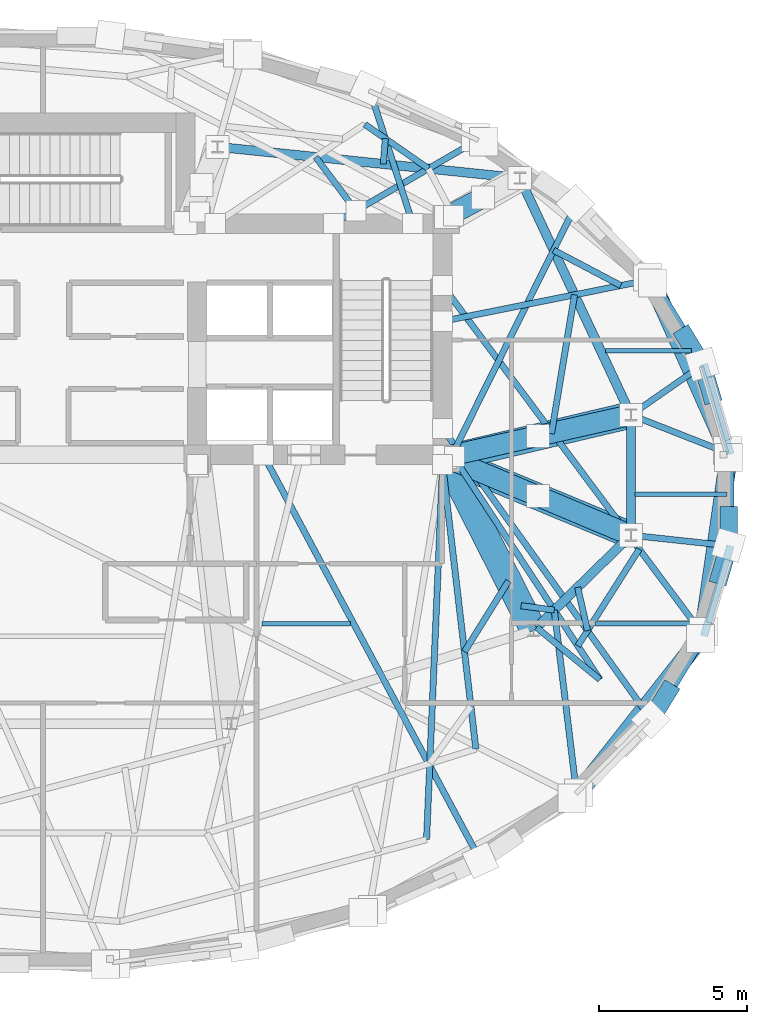
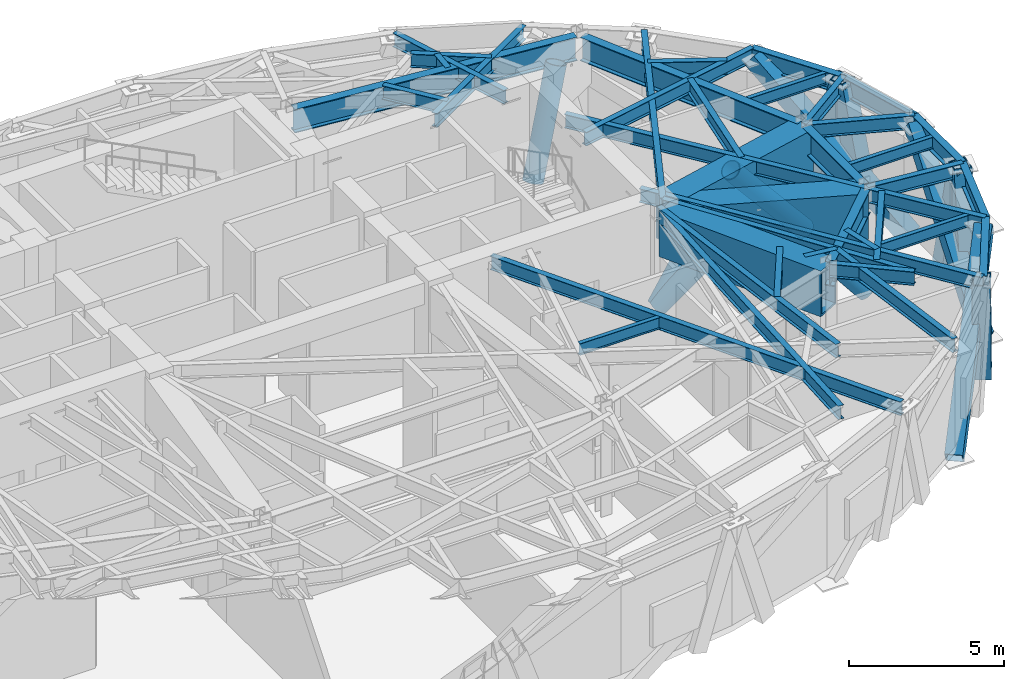
# One storey, part 4 of 12: 40 beams, 13 members.
"""IFC4 building model written with IfcOpenShell, lengths in metres."""

from ifc_helpers import new_model, si_unit, direction, frame, origin, origin_2d, place, context, subcontext, project, spatial, hollow_rectangle, hollow_circle, i_section, extrude, material, material_profile, profile_set, type_object, element, save


model = new_model("IFC4")

# Units and contexts
model_context = context("Model", 3, precision=1e-05, world=origin(), true_north=direction((0.0, 1.0)))
body_context = subcontext(model_context, "Body", "Model", "MODEL_VIEW")
ifc_project = project(units=[si_unit("LENGTHUNIT", "METRE"), si_unit("AREAUNIT", "SQUARE_METRE"), si_unit("VOLUMEUNIT", "CUBIC_METRE"), si_unit("PLANEANGLEUNIT", "RADIAN"), si_unit("MASSUNIT", "GRAM", prefix="KILO")], contexts=[model_context])

# Site, building, storey
site_placement = place(None, origin())
site = spatial("IfcSite", under=ifc_project, at=site_placement, CompositionType="ELEMENT")
building_placement = place(site_placement, origin())
building = spatial("IfcBuilding", under=site, at=building_placement, Name="Keldmark Tower", CompositionType="ELEMENT")
storey_placement = place(building_placement, frame((0.0, 0.0, 201.39990234375)))
storey = spatial("IfcBuildingStorey", under=building, at=storey_placement, Name="L56", CompositionType="ELEMENT", Elevation=201.39990234375)

# Members
ifc_material_1 = material(Name="Steel ASTM A572 Grade 50", Category="steel")
ifc_material_profile_1 = material_profile(ifc_material_1, hollow_rectangle(XDim=0.60009765625, YDim=0.60009765625, WallThickness=0.034912109375, at=origin_2d()), Name="BOX600X600X35")
ifc_profile_set_1 = profile_set([ifc_material_profile_1], Name="Steel ASTM A572 Grade 50")
member_type_1 = type_object("IfcMemberType", Name="Belt Truss Diagonal Brace BOX600", PredefinedType="BRACE", material=ifc_profile_set_1)
member_1_placement = place(storey_placement, frame((23.092529296875, 1.664306640625, -0.539794921875), z_axis=(-0.330159424397, 0.737190458603, 0.58952945832), x_axis=(-0.912650335555, -0.408741195638, 0.0)))
element("IfcMember", 1, at=member_1_placement, inside=storey, type_object=member_type_1, Name="L56 Perimeter Belt Truss Brace 01", PredefinedType="BRACE", context=body_context, shape_type="SweptSolid", body=[
    extrude(hollow_rectangle(XDim=0.60009765625, YDim=0.60009765625, WallThickness=0.034912109375, at=origin_2d()), origin(), (0.0, 0.0, 1.0), 7.666748046875),
])
member_2_placement = place(storey_placement, frame((18.066162109375, -9.88232421875, -0.539794921875), z_axis=(0.511692605622, 0.648975245847, 0.563029135684), x_axis=(-0.785268821548, 0.61915497083, 0.0)))
element("IfcMember", 2, at=member_2_placement, inside=storey, type_object=member_type_1, Name="L56 Perimeter Belt Truss Brace 15", PredefinedType="BRACE", context=body_context, shape_type="SweptSolid", body=[
    extrude(hollow_rectangle(XDim=0.60009765625, YDim=0.60009765625, WallThickness=0.034912109375, at=origin_2d()), origin(), (0.0, 0.0, 1.0), 8.027587890625),
])
member_3_placement = place(storey_placement, frame((22.27490234375, -4.447509765625, -0.539794921875), z_axis=(0.114320235652, 0.787550304378, 0.605553797606), x_axis=(-0.989628019482, 0.14365369141, 0.0)))
element("IfcMember", 3, at=member_3_placement, inside=storey, type_object=member_type_1, Name="L56 Perimeter Belt Truss Brace 16", PredefinedType="BRACE", context=body_context, shape_type="SweptSolid", body=[
    extrude(hollow_rectangle(XDim=0.60009765625, YDim=0.60009765625, WallThickness=0.034912109375, at=origin_2d()), origin(), (0.0, 0.0, 1.0), 7.4638671875),
])

# Beams
ifc_material_2 = material(Name="Steel ASTM A992 Grade 50", Category="steel")
ifc_material_profile_2 = material_profile(ifc_material_2, i_section(OverallWidth=0.153076171875, OverallDepth=0.455078125, WebThickness=0.008056640625, FlangeThickness=0.01318359375, at=origin_2d()), Name="W18X40")
ifc_profile_set_2 = profile_set([ifc_material_profile_2], Name="Steel ASTM A992 Grade 50")
beam_type_1 = type_object("IfcBeamType", Name="Composite Floor Joist W18X40", PredefinedType="JOIST", material=ifc_profile_set_2)
beam_1_placement = place(storey_placement, frame((7.378662109375, -4.179931640625, 4.052490234375), z_axis=(1.0, 0.0, 0.0), x_axis=(0.0, 1.0, 0.0)))
element("IfcBeam", 4, at=beam_1_placement, inside=storey, type_object=beam_type_1, Name="L56 Composite Floor Joist J04", PredefinedType="JOIST", context=body_context, shape_type="SweptSolid", body=[
    extrude(i_section(OverallWidth=0.153076171875, OverallDepth=0.455078125, WebThickness=0.008056640625, FlangeThickness=0.01318359375, at=origin_2d()), origin(), (0.0, 0.0, 1.0), 2.991455078125),
])
beam_2_placement = place(storey_placement, frame((18.624267578125, -4.179931640625, 4.052490234375), z_axis=(1.0, 0.0, 0.0), x_axis=(0.0, 1.0, 0.0)))
element("IfcBeam", 5, at=beam_2_placement, inside=storey, type_object=beam_type_1, Name="L56 Composite Floor Joist J05", PredefinedType="JOIST", context=body_context, shape_type="SweptSolid", body=[
    extrude(i_section(OverallWidth=0.153076171875, OverallDepth=0.455078125, WebThickness=0.008056640625, FlangeThickness=0.01318359375, at=origin_2d()), origin(), (0.0, 0.0, 1.0), 3.248046875),
])
beam_3_placement = place(storey_placement, frame((19.974365234375, 0.199951171875, 4.052490234375), z_axis=(1.0, 0.0, 0.0), x_axis=(0.0, 1.0, 0.0)))
element("IfcBeam", 6, at=beam_3_placement, inside=storey, type_object=beam_type_1, Name="L56 Composite Floor Joist J07", PredefinedType="JOIST", context=body_context, shape_type="SweptSolid", body=[
    extrude(i_section(OverallWidth=0.153076171875, OverallDepth=0.455078125, WebThickness=0.008056640625, FlangeThickness=0.01318359375, at=origin_2d()), origin(), (0.0, 0.0, 1.0), 3.094482421875),
])
beam_4_placement = place(storey_placement, frame((18.972412109375, 5.0400390625, 4.052490234375), z_axis=(1.0, 0.0, 0.0), x_axis=(0.0, 1.0, 0.0)))
element("IfcBeam", 7, at=beam_4_placement, inside=storey, type_object=beam_type_1, Name="L56 Composite Floor Joist J09", PredefinedType="JOIST", context=body_context, shape_type="SweptSolid", body=[
    extrude(i_section(OverallWidth=0.153076171875, OverallDepth=0.455078125, WebThickness=0.008056640625, FlangeThickness=0.01318359375, at=origin_2d()), origin(), (0.0, 0.0, 1.0), 2.906982421875),
])

# Members
ifc_material_3 = material(Name="Steel ASTM A572 Grade 50", Category="steel")
ifc_material_profile_3 = material_profile(ifc_material_3, hollow_rectangle(XDim=0.60009765625, YDim=0.60009765625, WallThickness=0.034912109375, at=origin_2d()), Name="BOX600X600X35")
ifc_profile_set_3 = profile_set([ifc_material_profile_3], Name="Steel ASTM A572 Grade 50")
member_type_2 = type_object("IfcMemberType", Name="Diagrid Zone 4 Brace BOX600X600X35", PredefinedType="BRACE", material=ifc_profile_set_3)
member_4_placement = place(storey_placement, frame((22.533935546875, 3.568115234375, -0.31982421875), z_axis=(-0.064502361927, 0.21997639384, 0.973370346507), x_axis=(-0.959597309391, -0.281376978109, 0.0)))
element("IfcMember", 8, at=member_4_placement, inside=storey, type_object=member_type_2, Name="L56 Perimeter Diagrid Brace 01A", PredefinedType="BRACE", context=body_context, shape_type="SweptSolid", body=[
    extrude(hollow_rectangle(XDim=0.60009765625, YDim=0.60009765625, WallThickness=0.034912109375, at=origin_2d()), origin(), (0.0, 0.0, 1.0), 4.6025390625),
])
member_5_placement = place(storey_placement, frame((21.65673828125, 5.52294921875, -0.31982421875), z_axis=(0.126160390005, -0.206583672988, 0.970261172081), x_axis=(0.853438383523, 0.52119375047, 0.0)))
element("IfcMember", 9, at=member_5_placement, inside=storey, type_object=member_type_2, Name="L56 Perimeter Diagrid Brace 01B", PredefinedType="BRACE", context=body_context, shape_type="SweptSolid", body=[
    extrude(hollow_rectangle(XDim=0.60009765625, YDim=0.60009765625, WallThickness=0.034912109375, at=origin_2d()), origin(), (0.0, 0.0, 1.0), 4.6171875),
])
member_6_placement = place(storey_placement, frame((21.07861328125, -6.4658203125, -0.31982421875), z_axis=(-0.126211044391, -0.206632912225, 0.970244099111), x_axis=(0.853400567022, -0.521255668752, 0.0)))
element("IfcMember", 10, at=member_6_placement, inside=storey, type_object=member_type_2, Name="L56 Perimeter Diagrid Brace 15B", PredefinedType="BRACE", context=body_context, shape_type="SweptSolid", body=[
    extrude(hollow_rectangle(XDim=0.60009765625, YDim=0.60009765625, WallThickness=0.034912109375, at=origin_2d()), origin(), (0.0, 0.0, 1.0), 4.617431640625),
])
member_7_placement = place(storey_placement, frame((22.83349609375, -2.5439453125, -0.31982421875), z_axis=(0.064501609198, 0.220026870849, 0.973358987484), x_axis=(-0.959615623571, 0.281314512599, 0.0)))
element("IfcMember", 11, at=member_7_placement, inside=storey, type_object=member_type_2, Name="L56 Perimeter Diagrid Brace 16A", PredefinedType="BRACE", context=body_context, shape_type="SweptSolid", body=[
    extrude(hollow_rectangle(XDim=0.60009765625, YDim=0.60009765625, WallThickness=0.034912109375, at=origin_2d()), origin(), (0.0, 0.0, 1.0), 4.6025390625),
])
member_8_placement = place(storey_placement, frame((23.128173828125, -0.51025390625, -0.31982421875), z_axis=(0.0, -0.224576375874, 0.974456490255), x_axis=(1.0, 0.0, 0.0)))
element("IfcMember", 12, at=member_8_placement, inside=storey, type_object=member_type_2, Name="L56 Perimeter Diagrid Brace 16B", PredefinedType="BRACE", context=body_context, shape_type="SweptSolid", body=[
    extrude(hollow_rectangle(XDim=0.60009765625, YDim=0.60009765625, WallThickness=0.034912109375, at=origin_2d()), origin(), (0.0, 0.0, 1.0), 4.597412109375),
])

# Beams
ifc_material_4 = material(Name="Steel ASTM A992 Grade 50", Category="steel")
ifc_material_profile_4 = material_profile(ifc_material_4, i_section(OverallWidth=0.31005859375, OverallDepth=0.931884765625, WebThickness=0.02099609375, FlangeThickness=0.034423828125, at=origin_2d()), Name="W36X210")
ifc_profile_set_4 = profile_set([ifc_material_profile_4], Name="Steel ASTM A992 Grade 50")
beam_type_2 = type_object("IfcBeamType", Name="Outrigger Chord Girder W36X210", PredefinedType="BEAM", material=ifc_profile_set_4)
beam_5_placement = place(storey_placement, frame((19.76904296875, 2.99609375, 3.814208984375), z_axis=(-0.424526823774, 0.905415360979, 0.0), x_axis=(-0.905415360979, -0.424526823774, 0.0)))
element("IfcBeam", 13, at=beam_5_placement, inside=storey, type_object=beam_type_2, Name="L56 Floor Ring Girder FG-R01", PredefinedType="BEAM", context=body_context, shape_type="SweptSolid", body=[
    extrude(i_section(OverallWidth=0.31005859375, OverallDepth=0.931884765625, WebThickness=0.02099609375, FlangeThickness=0.034423828125, at=origin_2d()), origin(), (0.0, 0.0, 1.0), 8.54638671875),
])
beam_6_placement = place(storey_placement, frame((15.942138671875, 10.87548828125, 3.814208984375), z_axis=(-0.994702930931, 0.102791435423, 0.0), x_axis=(-0.102791435423, -0.994702930931, 0.0)))
element("IfcBeam", 14, at=beam_6_placement, inside=storey, type_object=beam_type_2, Name="L56 Floor Ring Girder FG-R02", PredefinedType="BEAM", context=body_context, shape_type="SweptSolid", body=[
    extrude(i_section(OverallWidth=0.31005859375, OverallDepth=0.931884765625, WebThickness=0.02099609375, FlangeThickness=0.034423828125, at=origin_2d()), origin(), (0.0, 0.0, 1.0), 9.975341796875),
])
beam_7_placement = place(storey_placement, frame((16.646728515625, -4.300537109375, 3.814208984375), z_axis=(0.714964509815, 0.699160746684, 0.0), x_axis=(-0.699160746684, 0.714964509815, 0.0)))
element("IfcBeam", 15, at=beam_7_placement, inside=storey, type_object=beam_type_2, Name="L56 Floor Ring Girder FG-R11", PredefinedType="BEAM", context=body_context, shape_type="SweptSolid", body=[
    extrude(i_section(OverallWidth=0.31005859375, OverallDepth=0.931884765625, WebThickness=0.02099609375, FlangeThickness=0.034423828125, at=origin_2d()), origin(), (0.0, 0.0, 1.0), 4.31005859375),
])
beam_8_placement = place(storey_placement, frame((19.828369140625, -1.04931640625, 3.814208984375), z_axis=(0.0, 1.0, 0.0), x_axis=(-1.0, 0.0, 0.0)))
element("IfcBeam", 16, at=beam_8_placement, inside=storey, type_object=beam_type_2, Name="L56 Floor Ring Girder FG-R12", PredefinedType="BEAM", context=body_context, shape_type="SweptSolid", body=[
    extrude(i_section(OverallWidth=0.31005859375, OverallDepth=0.931884765625, WebThickness=0.02099609375, FlangeThickness=0.034423828125, at=origin_2d()), origin(), (0.0, 0.0, 1.0), 3.778564453125),
])

# Members
ifc_material_5 = material(Name="Steel ASTM A572 Grade 50", Category="steel")
ifc_material_profile_5 = material_profile(ifc_material_5, hollow_circle(Radius=0.35009765625, WallThickness=0.031982421875, at=origin_2d()), Name="CHS700X32")
ifc_profile_set_5 = profile_set([ifc_material_profile_5], Name="Steel ASTM A572 Grade 50")
member_type_3 = type_object("IfcMemberType", Name="Outrigger Web Strut CHS700X32", PredefinedType="STRUT", material=ifc_profile_set_5)
member_9_placement = place(storey_placement, frame((13.550048828125, 1.449951171875, 0.150146484375), z_axis=(0.627510166364, 0.141870590576, 0.765574115706), x_axis=(-0.22051930677, 0.975382609719, 0.0)))
element("IfcMember", 17, at=member_9_placement, inside=storey, type_object=member_type_3, Name="L56 Core Outrigger Truss Strut 05A", PredefinedType="STRUT", context=body_context, shape_type="SweptSolid", body=[
    extrude(hollow_circle(Radius=0.35009765625, WallThickness=0.031982421875, at=origin_2d()), origin(), (0.0, 0.0, 1.0), 5.002685546875),
])
member_10_placement = place(storey_placement, frame((19.828369140625, 2.869140625, 0.150146484375), z_axis=(-0.627514510369, -0.141822769259, 0.765579415473), x_axis=(0.220447135807, -0.975398923679, 0.0)))
element("IfcMember", 18, at=member_10_placement, inside=storey, type_object=member_type_3, Name="L56 Core Outrigger Truss Strut 05B", PredefinedType="STRUT", context=body_context, shape_type="SweptSolid", body=[
    extrude(hollow_circle(Radius=0.35009765625, WallThickness=0.031982421875, at=origin_2d()), origin(), (0.0, 0.0, 1.0), 5.00244140625),
])
for number, where, z_axis, x_axis, name in (
    (19, (13.550048828125, 1.449951171875, 0.150146484375), (0.612546791251, -0.25749069892, 0.747318518771), (0.387515250943, 0.921863292623, 0.0), "L56 Core Outrigger Truss Strut 06A"),
    (20, (19.828369140625, -1.189208984375, 0.150146484375), (-0.612546791251, 0.25749069892, 0.747318518771), (-0.387515250943, -0.921863292623, 0.0), "L56 Core Outrigger Truss Strut 06B"),
):
    element("IfcMember", number, at=place(storey_placement, frame(where, z_axis=z_axis, x_axis=x_axis)), inside=storey, type_object=member_type_3, Name=name, PredefinedType="STRUT", context=body_context, shape_type="SweptSolid", body=[
        extrude(hollow_circle(Radius=0.35009765625, WallThickness=0.031982421875, at=origin_2d()), origin(), (0.0, 0.0, 1.0), 5.124755859375),
    ])
member_11_placement = place(storey_placement, frame((13.60009765625, 9.550048828125, 0.150146484375), z_axis=(0.30418710682, 0.160712786661, 0.93895772229), x_axis=(-0.467144130585, 0.884181181241, 0.0)))
element("IfcMember", 21, at=member_11_placement, inside=storey, type_object=member_type_3, Name="L56 Core Outrigger Truss Strut 07A", PredefinedType="STRUT", context=body_context, shape_type="SweptSolid", body=[
    extrude(hollow_circle(Radius=0.35009765625, WallThickness=0.031982421875, at=origin_2d()), origin(), (0.0, 0.0, 1.0), 4.078857421875),
])

# Beams
ifc_material_6 = material(Name="Steel ASTM A572 Grade 50", Category="steel")
ifc_material_profile_6 = material_profile(ifc_material_6, hollow_rectangle(XDim=0.89990234375, YDim=1.800048828125, WallThickness=0.074951171875, at=origin_2d()), Name="TBOX1800X900X75")
ifc_profile_set_6 = profile_set([ifc_material_profile_6], Name="Steel ASTM A572 Grade 50")
beam_type_3 = type_object("IfcBeamType", Name="Perimeter Transfer Box Girder 1800x900", PredefinedType="USERDEFINED", material=ifc_profile_set_6)
beam_9_placement = place(storey_placement, frame((19.828369140625, 2.869140625, 3.380126953125), z_axis=(-0.973292492825, -0.229568559283, 0.0), x_axis=(0.229568559283, -0.973292492825, 0.0)))
element("IfcBeam", 22, at=beam_9_placement, inside=storey, type_object=beam_type_3, Name="L56 Upper Crown Transfer Box Girder UTB-TC-E1", ObjectType="TRANSFER GIRDER", PredefinedType="USERDEFINED", context=body_context, shape_type="SweptSolid", body=[
    extrude(hollow_rectangle(XDim=0.89990234375, YDim=1.800048828125, WallThickness=0.074951171875, at=origin_2d()), origin(), (0.0, 0.0, 1.0), 6.119140625),
])
beam_10_placement = place(storey_placement, frame((16.546630859375, -4.3984375, 3.380126953125), z_axis=(-0.453040649409, 0.89148985972, 0.0), x_axis=(-0.89148985972, -0.453040649409, 0.0)))
element("IfcBeam", 23, at=beam_10_placement, inside=storey, type_object=beam_type_3, Name="L56 Upper Crown Transfer Box Girder UTB-TC-E2", ObjectType="TRANSFER GIRDER", PredefinedType="USERDEFINED", context=body_context, shape_type="SweptSolid", body=[
    extrude(hollow_rectangle(XDim=0.89990234375, YDim=1.800048828125, WallThickness=0.074951171875, at=origin_2d()), origin(), (0.0, 0.0, 1.0), 6.22412109375),
])
beam_11_placement = place(storey_placement, frame((19.828369140625, -1.189208984375, 3.380126953125), z_axis=(-0.923395014443, 0.38385107438, 0.0), x_axis=(-0.38385107438, -0.923395014443, 0.0)))
element("IfcBeam", 24, at=beam_11_placement, inside=storey, type_object=beam_type_3, Name="L56 Upper Crown Transfer Box Girder UTB-TC-E5", ObjectType="TRANSFER GIRDER", PredefinedType="USERDEFINED", context=body_context, shape_type="SweptSolid", body=[
    extrude(hollow_rectangle(XDim=0.89990234375, YDim=1.800048828125, WallThickness=0.074951171875, at=origin_2d()), origin(), (0.0, 0.0, 1.0), 6.46533203125),
])
ifc_material_7 = material(Name="Steel ASTM A992 Grade 50", Category="steel")
ifc_material_profile_7 = material_profile(ifc_material_7, i_section(OverallWidth=0.2099609375, OverallDepth=0.537109375, WebThickness=0.010986328125, FlangeThickness=0.017333984375, at=origin_2d()), Name="W21X68")
ifc_profile_set_7 = profile_set([ifc_material_profile_7], Name="Steel ASTM A992 Grade 50")
beam_type_4 = type_object("IfcBeamType", Name="Radial Tie Girder W21X68", PredefinedType="BEAM", material=ifc_profile_set_7)
beam_12_placement = place(storey_placement, frame((15.70068359375, -2.73388671875, 4.01171875), z_axis=(-0.528764052811, -0.848768859263, 0.0), x_axis=(0.848768859263, -0.528764052811, 0.0)))
element("IfcBeam", 25, at=beam_12_placement, inside=storey, type_object=beam_type_4, Name="L56 Framing Pin Header PH-004", PredefinedType="BEAM", context=body_context, shape_type="SweptSolid", body=[
    extrude(i_section(OverallWidth=0.2099609375, OverallDepth=0.537109375, WebThickness=0.010986328125, FlangeThickness=0.017333984375, at=origin_2d()), origin(), (0.0, 0.0, 1.0), 2.80908203125),
])
beam_13_placement = place(storey_placement, frame((13.47509765625, 1.199951171875, 4.01171875), z_axis=(0.1163811046, -0.993204630724, 0.0), x_axis=(0.993204630724, 0.1163811046, 0.0)))
element("IfcBeam", 26, at=beam_13_placement, inside=storey, type_object=beam_type_4, Name="L56 Sub-Ring Step Girder STP1-M11", PredefinedType="BEAM", context=body_context, shape_type="SweptSolid", body=[
    extrude(i_section(OverallWidth=0.2099609375, OverallDepth=0.537109375, WebThickness=0.010986328125, FlangeThickness=0.017333984375, at=origin_2d()), origin(), (0.0, 0.0, 1.0), 9.66650390625),
])
beam_14_placement = place(storey_placement, frame((13.47509765625, 1.199951171875, 4.01171875), z_axis=(-0.042586746163, -0.999092772995, 0.0), x_axis=(0.999092772995, -0.042586746163, 0.0)))
element("IfcBeam", 27, at=beam_14_placement, inside=storey, type_object=beam_type_4, Name="L56 Sub-Ring Step Girder STP2-M11", PredefinedType="BEAM", context=body_context, shape_type="SweptSolid", body=[
    extrude(i_section(OverallWidth=0.2099609375, OverallDepth=0.537109375, WebThickness=0.010986328125, FlangeThickness=0.017333984375, at=origin_2d()), origin(), (0.0, 0.0, 1.0), 12.66943359375),
])
beam_15_placement = place(storey_placement, frame((19.828369140625, 2.869140625, 4.01171875), z_axis=(0.930675840423, -0.365844885236, 0.0), x_axis=(0.365844885236, 0.930675840423, 0.0)))
element("IfcBeam", 28, at=beam_15_placement, inside=storey, type_object=beam_type_4, Name="L56 Perimeter Column Bracket RT-01", PredefinedType="BEAM", context=body_context, shape_type="SweptSolid", body=[
    extrude(i_section(OverallWidth=0.2099609375, OverallDepth=0.537109375, WebThickness=0.010986328125, FlangeThickness=0.017333984375, at=origin_2d()), origin(), (0.0, 0.0, 1.0), 3.609619140625),
])
beam_16_placement = place(storey_placement, frame((19.828369140625, 2.869140625, 4.01171875), z_axis=(0.82086879222, 0.57111682339, 0.0), x_axis=(-0.57111682339, 0.82086879222, 0.0)))
element("IfcBeam", 29, at=beam_16_placement, inside=storey, type_object=beam_type_4, Name="L56 Perimeter Column Bracket RT-02", PredefinedType="BEAM", context=body_context, shape_type="SweptSolid", body=[
    extrude(i_section(OverallWidth=0.2099609375, OverallDepth=0.537109375, WebThickness=0.010986328125, FlangeThickness=0.017333984375, at=origin_2d()), origin(), (0.0, 0.0, 1.0), 3.0068359375),
])
beam_17_placement = place(storey_placement, frame((17.148193359375, 2.237060546875, 4.01171875), z_axis=(0.164232272842, 0.986421695097, 0.0), x_axis=(-0.986421695097, 0.164232272842, 0.0)))
element("IfcBeam", 30, at=beam_17_placement, inside=storey, type_object=beam_type_4, Name="L56 Framing Pin Header PH-009", PredefinedType="BEAM", context=body_context, shape_type="SweptSolid", body=[
    extrude(i_section(OverallWidth=0.2099609375, OverallDepth=0.537109375, WebThickness=0.010986328125, FlangeThickness=0.017333984375, at=origin_2d()), origin(), (0.0, 0.0, 1.0), 4.74951171875),
])
beam_18_placement = place(storey_placement, frame((13.47509765625, 6.028564453125, 4.01171875), z_axis=(0.980455532133, 0.196740818107, 0.0), x_axis=(-0.196740818107, 0.980455532133, 0.0)))
element("IfcBeam", 31, at=beam_18_placement, inside=storey, type_object=beam_type_4, Name="L56 Perimeter Radial Tie Girder RT-03", PredefinedType="BEAM", context=body_context, shape_type="SweptSolid", body=[
    extrude(i_section(OverallWidth=0.2099609375, OverallDepth=0.537109375, WebThickness=0.010986328125, FlangeThickness=0.017333984375, at=origin_2d()), origin(), (0.0, 0.0, 1.0), 7.21484375),
])
beam_19_placement = place(storey_placement, frame((19.48779296875, 7.235107421875, 4.01171875), z_axis=(-0.884634857426, 0.466284429321, 0.0), x_axis=(-0.466284429321, -0.884634857426, 0.0)))
element("IfcBeam", 32, at=beam_19_placement, inside=storey, type_object=beam_type_4, Name="L56 Framing Pin Header PH-010", PredefinedType="BEAM", context=body_context, shape_type="SweptSolid", body=[
    extrude(i_section(OverallWidth=0.2099609375, OverallDepth=0.537109375, WebThickness=0.010986328125, FlangeThickness=0.017333984375, at=origin_2d()), origin(), (0.0, 0.0, 1.0), 2.56201171875),
])
beam_20_placement = place(storey_placement, frame((13.800048828125, 1.52490234375, 4.01171875), z_axis=(0.443977627174, 0.896037871169, 0.0), x_axis=(-0.896037871169, 0.443977627174, 0.0)))
element("IfcBeam", 33, at=beam_20_placement, inside=storey, type_object=beam_type_4, Name="L56 Perimeter Radial Tie Girder RT-04", PredefinedType="BEAM", context=body_context, shape_type="SweptSolid", body=[
    extrude(i_section(OverallWidth=0.2099609375, OverallDepth=0.537109375, WebThickness=0.010986328125, FlangeThickness=0.017333984375, at=origin_2d()), origin(), (0.0, 0.0, 1.0), 9.484619140625),
])
beam_21_placement = place(storey_placement, frame((9.8037109375, 9.324951171875, 4.01171875), z_axis=(0.864913705809, 0.501920592826, 0.0), x_axis=(-0.501920592826, 0.864913705809, 0.0)))
element("IfcBeam", 34, at=beam_21_placement, inside=storey, type_object=beam_type_4, Name="L56 Perimeter Radial Tie Girder RT-05", PredefinedType="BEAM", context=body_context, shape_type="SweptSolid", body=[
    extrude(i_section(OverallWidth=0.2099609375, OverallDepth=0.537109375, WebThickness=0.010986328125, FlangeThickness=0.017333984375, at=origin_2d()), origin(), (0.0, 0.0, 1.0), 5.755126953125),
])
beam_22_placement = place(storey_placement, frame((10.55029296875, 9.75830078125, 4.01171875), z_axis=(-0.598775240307, 0.800917106569, 0.0), x_axis=(-0.800917106569, -0.598775240307, 0.0)))
element("IfcBeam", 35, at=beam_22_placement, inside=storey, type_object=beam_type_4, Name="L56 Framing Pin Header PH-012", PredefinedType="BEAM", context=body_context, shape_type="SweptSolid", body=[
    extrude(i_section(OverallWidth=0.2099609375, OverallDepth=0.537109375, WebThickness=0.010986328125, FlangeThickness=0.017333984375, at=origin_2d()), origin(), (0.0, 0.0, 1.0), 2.265869140625),
])
beam_23_placement = place(storey_placement, frame((12.99951171875, 11.179443359375, 4.01171875), z_axis=(-0.820532151403, 0.571600374837, 0.0), x_axis=(-0.571600374837, -0.820532151403, 0.0)))
element("IfcBeam", 36, at=beam_23_placement, inside=storey, type_object=beam_type_4, Name="L56 Local Collector Chord RT-06C", PredefinedType="BEAM", context=body_context, shape_type="SweptSolid", body=[
    extrude(i_section(OverallWidth=0.2099609375, OverallDepth=0.537109375, WebThickness=0.010986328125, FlangeThickness=0.017333984375, at=origin_2d()), origin(), (0.0, 0.0, 1.0), 2.61572265625),
])
beam_24_placement = place(storey_placement, frame((11.47705078125, 11.3369140625, 4.01171875), z_axis=(0.078152477157, 0.996941417694, 0.0), x_axis=(-0.996941417694, 0.078152477157, 0.0)))
element("IfcBeam", 37, at=beam_24_placement, inside=storey, type_object=beam_type_4, Name="L56 Framing Pin Header PH-013", PredefinedType="BEAM", context=body_context, shape_type="SweptSolid", body=[
    extrude(i_section(OverallWidth=0.2099609375, OverallDepth=0.537109375, WebThickness=0.010986328125, FlangeThickness=0.017333984375, at=origin_2d()), origin(), (0.0, 0.0, 1.0), 0.859130859375),
])
beam_25_placement = place(storey_placement, frame((12.468017578125, 9.324951171875, 4.01171875), z_axis=(-0.306577044179, 0.951845846754, 0.0), x_axis=(-0.951845846754, -0.306577044179, 0.0)))
element("IfcBeam", 38, at=beam_25_placement, inside=storey, type_object=beam_type_4, Name="L56 Perimeter Radial Tie Girder RT-06", PredefinedType="BEAM", context=body_context, shape_type="SweptSolid", body=[
    extrude(i_section(OverallWidth=0.2099609375, OverallDepth=0.537109375, WebThickness=0.010986328125, FlangeThickness=0.017333984375, at=origin_2d()), origin(), (0.0, 0.0, 1.0), 4.842529296875),
])
beam_26_placement = place(storey_placement, frame((7.425048828125, 1.52490234375, 4.01171875), z_axis=(0.472047943943, -0.881572877656, 0.0), x_axis=(0.881572877656, 0.472047943943, 0.0)))
element("IfcBeam", 39, at=beam_26_placement, inside=storey, type_object=beam_type_4, Name="L56 Perimeter Radial Tie Girder RT-28", PredefinedType="BEAM", context=body_context, shape_type="SweptSolid", body=[
    extrude(i_section(OverallWidth=0.2099609375, OverallDepth=0.537109375, WebThickness=0.010986328125, FlangeThickness=0.017333984375, at=origin_2d()), origin(), (0.0, 0.0, 1.0), 15.583984375),
])
beam_27_placement = place(storey_placement, frame((16.123779296875, -3.566162109375, 4.01171875), z_axis=(0.99120337081, -0.132347563996, 0.0), x_axis=(0.132347563996, 0.99120337081, 0.0)))
element("IfcBeam", 40, at=beam_27_placement, inside=storey, type_object=beam_type_4, Name="L56 Framing Pin Header PH-026", PredefinedType="BEAM", context=body_context, shape_type="SweptSolid", body=[
    extrude(i_section(OverallWidth=0.2099609375, OverallDepth=0.537109375, WebThickness=0.010986328125, FlangeThickness=0.017333984375, at=origin_2d()), origin(), (0.0, 0.0, 1.0), 1.130859375),
])
beam_28_placement = place(storey_placement, frame((13.800048828125, 1.52490234375, 4.01171875), z_axis=(0.54925140901, -0.835657160384, 0.0), x_axis=(0.835657160384, 0.54925140901, 0.0)))
element("IfcBeam", 41, at=beam_28_placement, inside=storey, type_object=beam_type_4, Name="L56 Intermediate Radial Step Girder RT-30M", PredefinedType="BEAM", context=body_context, shape_type="SweptSolid", body=[
    extrude(i_section(OverallWidth=0.2099609375, OverallDepth=0.537109375, WebThickness=0.010986328125, FlangeThickness=0.017333984375, at=origin_2d()), origin(), (0.0, 0.0, 1.0), 9.07763671875),
])
beam_29_placement = place(storey_placement, frame((16.646728515625, -4.300537109375, 4.01171875), z_axis=(0.772179479186, -0.635404478993, 0.0), x_axis=(0.635404478993, 0.772179479186, 0.0)))
element("IfcBeam", 42, at=beam_29_placement, inside=storey, type_object=beam_type_4, Name="L56 Local Collector Chord RT-30C", PredefinedType="BEAM", context=body_context, shape_type="SweptSolid", body=[
    extrude(i_section(OverallWidth=0.2099609375, OverallDepth=0.537109375, WebThickness=0.010986328125, FlangeThickness=0.017333984375, at=origin_2d()), origin(), (0.0, 0.0, 1.0), 2.770263671875),
])
beam_30_placement = place(storey_placement, frame((18.0380859375, -4.9228515625, 4.01171875), z_axis=(0.535988855771, 0.844225056776, 0.0), x_axis=(-0.844225056776, 0.535988855771, 0.0)))
element("IfcBeam", 43, at=beam_30_placement, inside=storey, type_object=beam_type_4, Name="L56 Framing Pin Header PH-027", PredefinedType="BEAM", context=body_context, shape_type="SweptSolid", body=[
    extrude(i_section(OverallWidth=0.2099609375, OverallDepth=0.537109375, WebThickness=0.010986328125, FlangeThickness=0.017333984375, at=origin_2d()), origin(), (0.0, 0.0, 1.0), 3.86767578125),
])
beam_31_placement = place(storey_placement, frame((13.47509765625, 7.235595703125, 4.01171875), z_axis=(0.598046490454, -0.801461412206, 0.0), x_axis=(0.801461412206, 0.598046490454, 0.0)))
element("IfcBeam", 44, at=beam_31_placement, inside=storey, type_object=beam_type_4, Name="L56 Perimeter Radial Tie Girder RT-31", PredefinedType="BEAM", context=body_context, shape_type="SweptSolid", body=[
    extrude(i_section(OverallWidth=0.2099609375, OverallDepth=0.537109375, WebThickness=0.010986328125, FlangeThickness=0.017333984375, at=origin_2d()), origin(), (0.0, 0.0, 1.0), 14.75048828125),
])
beam_32_placement = place(storey_placement, frame((19.828369140625, -1.189208984375, 4.01171875), z_axis=(0.994326636507, -0.106369826231, 0.0), x_axis=(0.106369826231, 0.994326636507, 0.0)))
element("IfcBeam", 45, at=beam_32_placement, inside=storey, type_object=beam_type_4, Name="L56 Perimeter Column Bracket RT-32", PredefinedType="BEAM", context=body_context, shape_type="SweptSolid", body=[
    extrude(i_section(OverallWidth=0.2099609375, OverallDepth=0.537109375, WebThickness=0.010986328125, FlangeThickness=0.017333984375, at=origin_2d()), origin(), (0.0, 0.0, 1.0), 3.378662109375),
])
beam_33_placement = place(storey_placement, frame((18.010986328125, -10.0234375, 4.01171875), z_axis=(-0.120610199937, 0.99269994443, 0.0), x_axis=(-0.99269994443, -0.120610199937, 0.0)))
element("IfcBeam", 46, at=beam_33_placement, inside=storey, type_object=beam_type_4, Name="L56 Straddling Support Chord RT-30RB", PredefinedType="BEAM", context=body_context, shape_type="SweptSolid", body=[
    extrude(i_section(OverallWidth=0.2099609375, OverallDepth=0.537109375, WebThickness=0.010986328125, FlangeThickness=0.017333984375, at=origin_2d()), origin(), (0.0, 0.0, 1.0), 6.35400390625),
])
beam_34_placement = place(storey_placement, frame((18.033447265625, -2.944580078125, 4.01171875), z_axis=(0.221599991129, -0.975137653837, 0.0), x_axis=(0.975137653837, 0.221599991129, 0.0)))
element("IfcBeam", 47, at=beam_34_placement, inside=storey, type_object=beam_type_4, Name="L56 Framing Pin Header PH-032", PredefinedType="BEAM", context=body_context, shape_type="SweptSolid", body=[
    extrude(i_section(OverallWidth=0.2099609375, OverallDepth=0.537109375, WebThickness=0.010986328125, FlangeThickness=0.017333984375, at=origin_2d()), origin(), (0.0, 0.0, 1.0), 1.49951171875),
])
beam_35_placement = place(storey_placement, frame((13.47509765625, 2.406982421875, 4.01171875), z_axis=(0.583117563597, -0.812387781189, 0.0), x_axis=(0.812387781189, 0.583117563597, 0.0)))
element("IfcBeam", 48, at=beam_35_placement, inside=storey, type_object=beam_type_4, Name="L56 Perimeter Radial Tie Girder RT-30R", PredefinedType="BEAM", context=body_context, shape_type="SweptSolid", body=[
    extrude(i_section(OverallWidth=0.2099609375, OverallDepth=0.537109375, WebThickness=0.010986328125, FlangeThickness=0.017333984375, at=origin_2d()), origin(), (0.0, 0.0, 1.0), 12.130859375),
])
ifc_material_8 = material(Name="Steel ASTM A992 Grade 50", Category="steel")
ifc_material_profile_8 = material_profile(ifc_material_8, i_section(OverallWidth=0.256103515625, OverallDepth=0.693115234375, WebThickness=0.014404296875, FlangeThickness=0.023681640625, at=origin_2d()), Name="W27X114")
ifc_profile_set_8 = profile_set([ifc_material_profile_8], Name="Steel ASTM A992 Grade 50")
beam_type_5 = type_object("IfcBeamType", Name="Spandrel Ring Beam W27X114", PredefinedType="SPANDREL", material=ifc_profile_set_8)
beam_36_placement = place(storey_placement, frame((23.187744140625, 1.548583984375, 3.93359375), z_axis=(-0.281477355005, 0.959567870773, 0.0), x_axis=(-0.959567870773, -0.281477355005, 0.0)))
element("IfcBeam", 49, at=beam_36_placement, inside=storey, type_object=beam_type_5, Name="L56 Perimeter Spandrel Ring Beam SRB-01", PredefinedType="SPANDREL", context=body_context, shape_type="SweptSolid", body=[
    extrude(i_section(OverallWidth=0.256103515625, OverallDepth=0.693115234375, WebThickness=0.014404296875, FlangeThickness=0.023681640625, at=origin_2d()), origin(), (0.0, 0.0, 1.0), 3.165771484375),
])
for number, where, z_axis, x_axis, name in (
    (50, (22.296630859375, 4.58642578125, 3.93359375), (-0.521246781142, 0.853405995497, 0.0), (-0.853405995497, -0.521246781142, 0.0), "L56 Perimeter Spandrel Ring Beam SRB-02"),
    (51, (20.548828125, -7.447998046875, 3.93359375), (0.521246781142, 0.853405995497, 0.0), (-0.853405995497, 0.521246781142, 0.0), "L56 Perimeter Spandrel Ring Beam SRB-30"),
):
    element("IfcBeam", number, at=place(storey_placement, frame(where, z_axis=z_axis, x_axis=x_axis)), inside=storey, type_object=beam_type_5, Name=name, PredefinedType="SPANDREL", context=body_context, shape_type="SweptSolid", body=[
        extrude(i_section(OverallWidth=0.256103515625, OverallDepth=0.693115234375, WebThickness=0.014404296875, FlangeThickness=0.023681640625, at=origin_2d()), origin(), (0.0, 0.0, 1.0), 3.35302734375),
    ])
beam_37_placement = place(storey_placement, frame((22.296630859375, -4.58642578125, 3.93359375), z_axis=(0.281477355005, 0.959567870773, 0.0), x_axis=(-0.959567870773, 0.281477355005, 0.0)))
element("IfcBeam", 52, at=beam_37_placement, inside=storey, type_object=beam_type_5, Name="L56 Perimeter Spandrel Ring Beam SRB-31", PredefinedType="SPANDREL", context=body_context, shape_type="SweptSolid", body=[
    extrude(i_section(OverallWidth=0.256103515625, OverallDepth=0.693115234375, WebThickness=0.014404296875, FlangeThickness=0.023681640625, at=origin_2d()), origin(), (0.0, 0.0, 1.0), 3.165771484375),
])
beam_38_placement = place(storey_placement, frame((23.187744140625, -1.548583984375, 3.93359375), z_axis=(0.0, 1.0, 0.0), x_axis=(-1.0, 0.0, 0.0)))
element("IfcBeam", 53, at=beam_38_placement, inside=storey, type_object=beam_type_5, Name="L56 Perimeter Spandrel Ring Beam SRB-32", PredefinedType="SPANDREL", context=body_context, shape_type="SweptSolid", body=[
    extrude(i_section(OverallWidth=0.256103515625, OverallDepth=0.693115234375, WebThickness=0.014404296875, FlangeThickness=0.023681640625, at=origin_2d()), origin(), (0.0, 0.0, 1.0), 3.09716796875),
])

save(model, "model.ifc")
